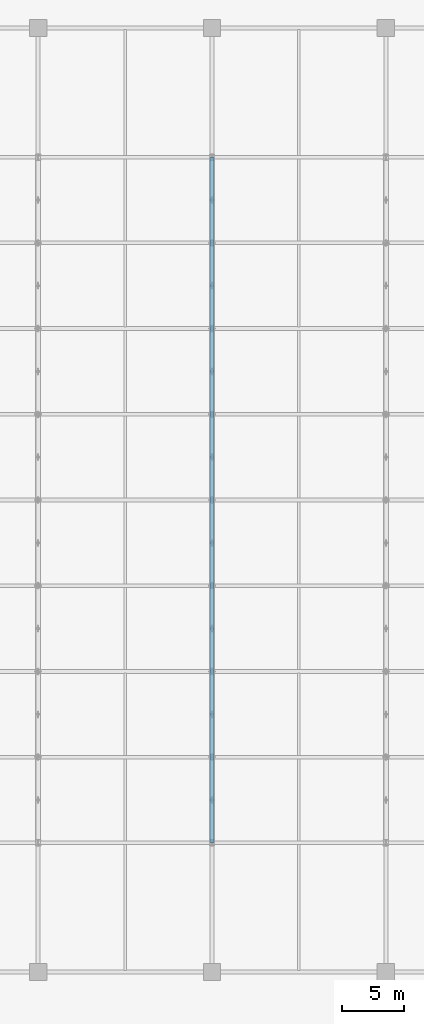
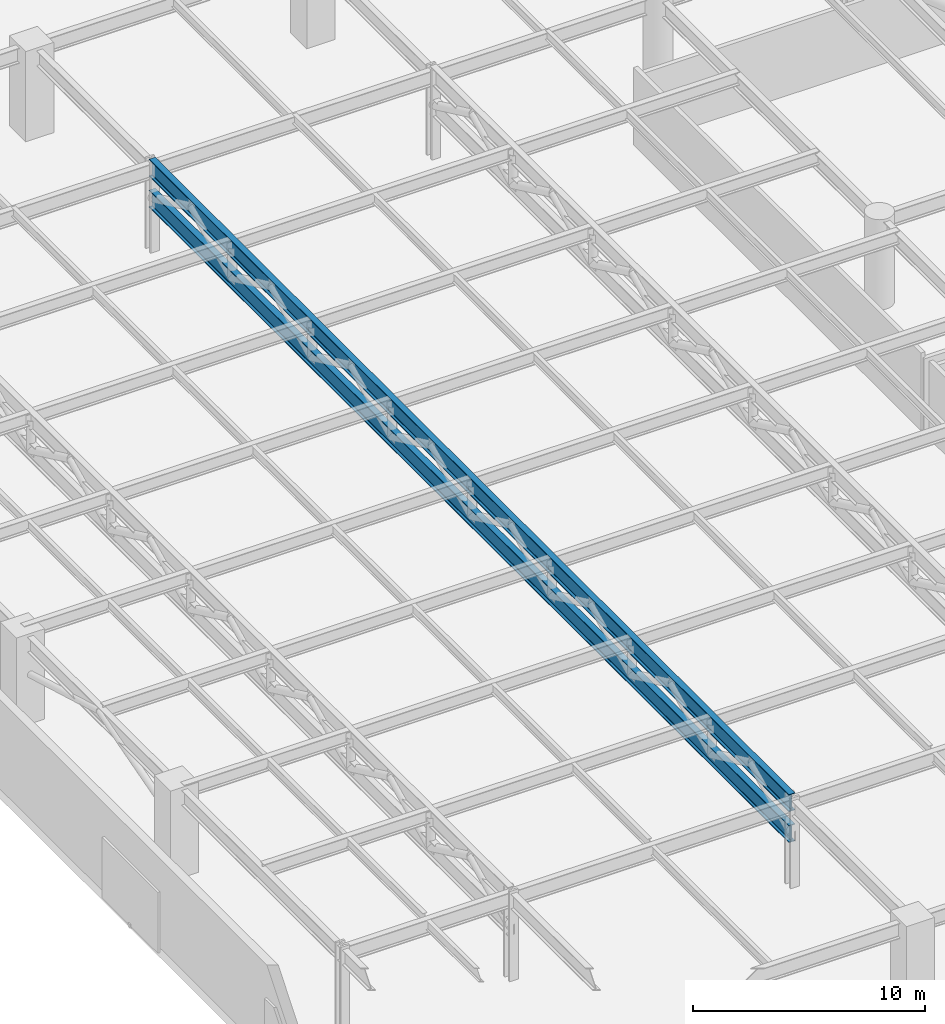
# One storey, part 11 of 40: 2 beams.
"""IFC4 building model written with IfcOpenShell, lengths in metres."""

from ifc_helpers import new_model, si_unit, direction, frame, origin, origin_2d, place, context, subcontext, project, spatial, i_section, extrude, material, material_profile, profile_set, type_object, element, save


model = new_model("IFC4")

# Units and contexts
model_context = context("Model", 3, precision=1e-05, world=origin(), true_north=direction((0.0, 1.0)))
body_context = subcontext(model_context, "Body", "Model", "MODEL_VIEW")
ifc_project = project(units=[si_unit("LENGTHUNIT", "METRE"), si_unit("AREAUNIT", "SQUARE_METRE"), si_unit("VOLUMEUNIT", "CUBIC_METRE"), si_unit("PLANEANGLEUNIT", "RADIAN"), si_unit("MASSUNIT", "GRAM", prefix="KILO")], contexts=[model_context])

# Site, building, storey
site_placement = place(None, origin())
site = spatial("IfcSite", under=ifc_project, at=site_placement, CompositionType="ELEMENT")
building_placement = place(site_placement, origin())
building = spatial("IfcBuilding", under=site, at=building_placement, Name="Narakoshi Arena Tower", CompositionType="ELEMENT")
storey_placement = place(building_placement, frame((0.0, 0.0, 21.60009765625)))
storey = spatial("IfcBuildingStorey", under=building, at=storey_placement, Name="L05", CompositionType="ELEMENT", Elevation=21.60009765625)

# Beams
ifc_material = material(Name="Structural steel S460ML", Category="steel")
ifc_material_profile = material_profile(ifc_material, i_section(OverallWidth=0.302001953125, OverallDepth=0.909912109375, WebThickness=0.02099609375, FlangeThickness=0.0400390625, FilletRadius=0.030029296875, at=origin_2d()), Name="HE900M")
ifc_profile_set = profile_set([ifc_material_profile], Name="Structural steel S460ML")
beam_type = type_object("IfcBeamType", Name="BM-ARENA-900", PredefinedType="BEAM", material=ifc_profile_set)
for number, where, z_axis, x_axis, name in (
    (1, (26.0, 20.39990234375, 4.324951171875), (0.0, 1.0, 0.0), (-1.0, 0.0, 0.0), "L05 Arena 54m Roof Truss 2 Continuous Top Chord"),
    (2, (26.0, 20.39990234375, 2.699951171875), (0.0, 1.0, 0.0), (-1.0, 0.0, 0.0), "L05 Arena 54m Roof Truss 2 Continuous Bottom Chord"),
):
    element("IfcBeam", number, at=place(storey_placement, frame(where, z_axis=z_axis, x_axis=x_axis)), inside=storey, type_object=beam_type, Name=name, PredefinedType="BEAM", context=body_context, shape_type="SweptSolid", body=[
        extrude(i_section(OverallWidth=0.302001953125, OverallDepth=0.909912109375, WebThickness=0.02099609375, FlangeThickness=0.0400390625, FilletRadius=0.030029296875, at=origin_2d()), origin(), (0.0, 0.0, 1.0), 55.2001953125),
    ])

save(model, "model.ifc")
